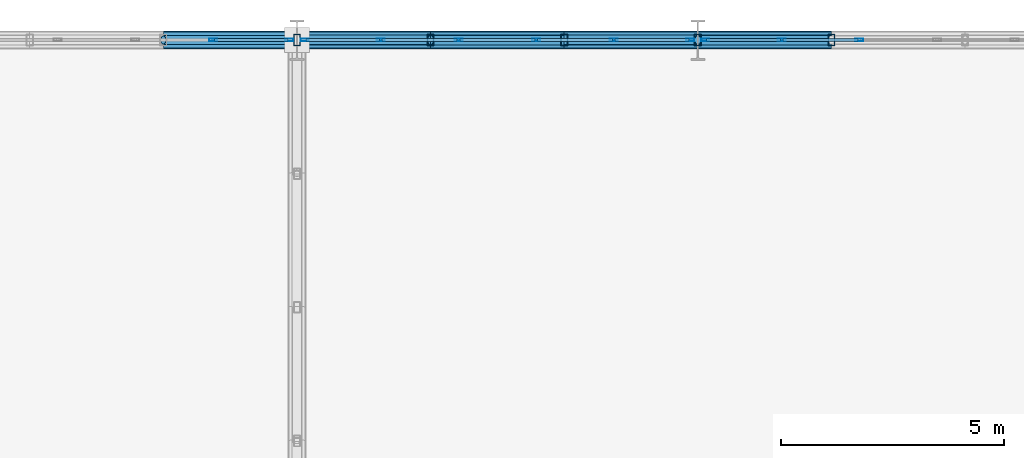
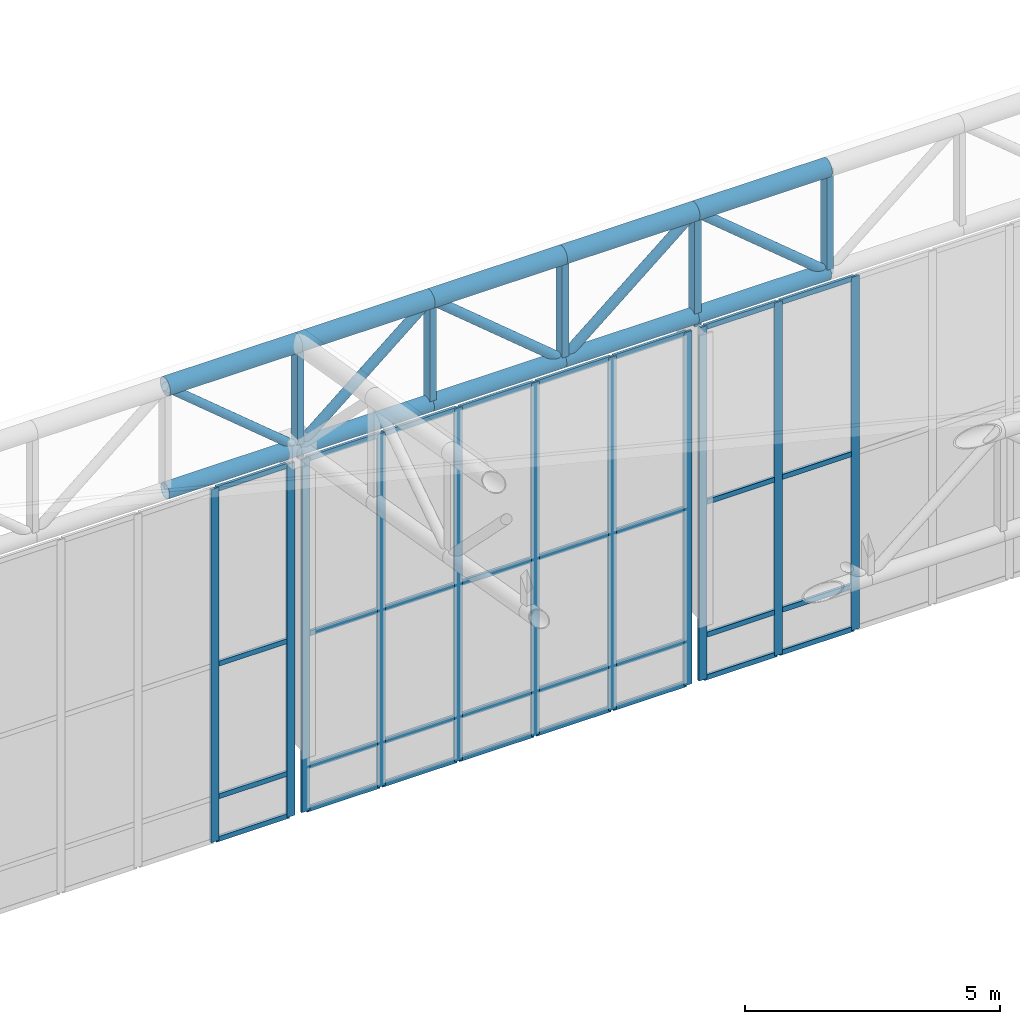
# One storey, part 105 of 239: 63 members, 3 elements without a shape of their own.
"""IFC4 building model written with IfcOpenShell, lengths in metres."""

import ifcopenshell
import ifcopenshell.guid

model = None  # the IFC model being written
_history = None  # IfcOwnerHistory: only IFC2X3 demands one
_inside = {}  # id of a spatial element -> (the spatial element, [elements in it])
_under = {}  # id of a project, library or spatial element -> (it, [spatial elements below it])
_declared = {}  # id of a project -> (the project, [libraries it declares])
_typed = {}  # id of a type object -> (the type object, [elements of that type])
_made_of = {}  # id of a material, layer set ... -> (it, [elements and type objects made of it])


def new_model(schema):
    """Start an empty IFC model of exactly this schema.

    Asked for "IFC4X3", IfcOpenShell would pick the latest addendum, in which some entities
    have other attributes; the version numbers below select the first issue.
    IFC2X3 requires an IfcOwnerHistory on every rooted entity: one is made here for all.
    """
    global model, _history
    if schema == "IFC4X3":
        model = ifcopenshell.file(schema_version=(4, 3, 0, 0))
    else:
        model = ifcopenshell.file(schema=schema)
    _inside.clear()
    _under.clear()
    _declared.clear()
    _typed.clear()
    _made_of.clear()
    _history = None
    if model.schema == "IFC2X3":
        org = make("IfcOrganization", Name="unknown")
        user = make(
            "IfcPersonAndOrganization",
            ThePerson=make("IfcPerson", FamilyName="unknown"),
            TheOrganization=org,
        )
        app = make(
            "IfcApplication",
            ApplicationDeveloper=org,
            Version="unknown",
            ApplicationFullName="unknown",
            ApplicationIdentifier="unknown",
        )
        _history = make(
            "IfcOwnerHistory",
            OwningUser=user,
            OwningApplication=app,
            ChangeAction="ADDED",
            CreationDate=0,
        )
    return model


def make(cls, **values):
    """One entity of the class cls with the attributes given. An attribute that is None is left unset."""
    return model.create_entity(
        cls, **{name: value for name, value in values.items() if value is not None}
    )


def rooted(cls, **values):
    """An entity with a GlobalId (a new one), such as an element, a storey or a relation."""
    return make(cls, GlobalId=ifcopenshell.guid.new(), OwnerHistory=_history, **values)


def si_unit(unit_type, name, prefix=None):
    """IfcSIUnit, for example si_unit("LENGTHUNIT", "METRE", prefix="MILLI")."""
    return make("IfcSIUnit", UnitType=unit_type, Prefix=prefix, Name=name)


def assignment(units):
    """IfcUnitAssignment: the units of a project."""
    return None if units is None else make("IfcUnitAssignment", Units=units)


def point(xyz):
    """IfcCartesianPoint."""
    return None if xyz is None else make("IfcCartesianPoint", Coordinates=xyz)


def direction(xyz):
    """IfcDirection."""
    return None if xyz is None else make("IfcDirection", DirectionRatios=xyz)


def frame(location, z_axis=None, x_axis=None):
    """IfcAxis2Placement3D, a coordinate frame: its origin and axes. An axis left out is left unset."""
    return make(
        "IfcAxis2Placement3D",
        Location=point(location),
        Axis=direction(z_axis),
        RefDirection=direction(x_axis),
    )


def frame_2d(location, x_axis=None):
    """IfcAxis2Placement2D, a coordinate frame in the plane: its origin and x axis."""
    return make(
        "IfcAxis2Placement2D", Location=point(location), RefDirection=direction(x_axis)
    )


def origin():
    """The frame at (0, 0, 0) with its axes left unset."""
    return frame((0.0, 0.0, 0.0))


def origin_2d():
    """The frame at (0, 0) in the plane with its x axis left unset."""
    return frame_2d((0.0, 0.0))


def place(relative_to, where):
    """IfcLocalPlacement: puts the frame where relative to a parent placement (None: the world)."""
    return make(
        "IfcLocalPlacement", PlacementRelTo=relative_to, RelativePlacement=where
    )


def context(
    kind, dimensions, precision=None, world=None, true_north=None, identifier=None
):
    """IfcGeometricRepresentationContext, for example the 3D "Model" context."""
    return make(
        "IfcGeometricRepresentationContext",
        ContextIdentifier=identifier,
        ContextType=kind,
        CoordinateSpaceDimension=dimensions,
        Precision=precision,
        WorldCoordinateSystem=world,
        TrueNorth=true_north,
    )


def subcontext(parent, identifier, kind, view, scale=None):
    """IfcGeometricRepresentationSubContext, for example "Body" below "Model"."""
    return make(
        "IfcGeometricRepresentationSubContext",
        ContextIdentifier=identifier,
        ContextType=kind,
        ParentContext=parent,
        TargetScale=scale,
        TargetView=view,
    )


def project(units=None, contexts=None):
    """IfcProject with its units and contexts."""
    return rooted(
        "IfcProject",
        Name="project",
        RepresentationContexts=contexts,
        UnitsInContext=assignment(units),
    )


def spatial(cls, under=None, at=None, **own):
    """A site, building, storey or space (cls), placed at a placement, below another one or the project."""
    s = rooted(cls, ObjectPlacement=at, **own)
    if under is not None:
        _under.setdefault(under.id(), (under, []))[1].append(s)
    return s


def profile(cls, at=None, kind="AREA", **sizes):
    """A parametric profile (cls). Its sizes go by their IFC names, for example OverallWidth=200.0."""
    return make(cls, ProfileType=kind, Position=at, **sizes)


def hollow_rectangle(**sizes):
    """IfcRectangleHollowProfileDef."""
    return profile("IfcRectangleHollowProfileDef", **sizes)


def hollow_circle(**sizes):
    """IfcCircleHollowProfileDef."""
    return profile("IfcCircleHollowProfileDef", **sizes)


def extrude(swept, where, along, depth):
    """IfcExtrudedAreaSolid: the profile swept, set in the frame where, extruded along a direction by depth."""
    return make(
        "IfcExtrudedAreaSolid",
        SweptArea=swept,
        Position=where,
        ExtrudedDirection=direction(along),
        Depth=depth,
    )


def shape(context_of_items, identifier, shape_type, items):
    """IfcShapeRepresentation: the items that make up one representation, for example the "Body"."""
    return make(
        "IfcShapeRepresentation",
        ContextOfItems=context_of_items,
        RepresentationIdentifier=identifier,
        RepresentationType=shape_type,
        Items=items,
    )


def material(Name=None, Category=None):
    """IfcMaterial."""
    return make("IfcMaterial", Name=Name, Category=Category)


def material_profile(
    of_material, cross_section, Name=None, Category=None, Priority=None
):
    """IfcMaterialProfile: a cross section and its material."""
    return make(
        "IfcMaterialProfile",
        Name=Name,
        Material=of_material,
        Profile=cross_section,
        Priority=Priority,
        Category=Category,
    )


def profile_set(profiles, Name=None, composite=None):
    """IfcMaterialProfileSet."""
    return make(
        "IfcMaterialProfileSet",
        Name=Name,
        MaterialProfiles=profiles,
        CompositeProfile=composite,
    )


def made_of(thing, what):
    """Note that an element or type object is made of a material, layer set ...; save() writes the relation."""
    if what is not None:
        _made_of.setdefault(what.id(), (what, []))[1].append(thing)
    return thing


def type_object(cls, material=None, **own):
    """A type object (cls), such as IfcWallType, which elements share."""
    return made_of(rooted(cls, **own), material)


def element(
    cls,
    number,
    at=None,
    inside=None,
    cuts=None,
    type_object=None,
    material=None,
    context=None,
    identifier="Body",
    shape_type=None,
    held_by="IfcProductDefinitionShape",
    body=None,
    shapes=None,
    **own,
):
    """One element of the class cls, such as IfcWall. Its Tag is "e" and its number.

    at: its placement. inside: the storey or other place that contains it. cuts: it is an
    opening in that element (IfcRelVoidsElement). A single representation is given by context,
    identifier, shape_type and body (its items); several are given by shapes. held_by: the class
    of the entity that holds the representations. save() writes the other relations.
    """
    e = rooted(cls, Tag="e%d" % number, ObjectPlacement=at, **own)
    if body is not None:
        shapes = [shape(context, identifier, shape_type, body)]
    if shapes is not None:
        e.Representation = make(held_by, Representations=shapes)
    if inside is not None:
        _inside.setdefault(inside.id(), (inside, []))[1].append(e)
    if cuts is not None:
        rooted(
            "IfcRelVoidsElement", RelatingBuildingElement=cuts, RelatedOpeningElement=e
        )
    if type_object is not None:
        _typed.setdefault(type_object.id(), (type_object, []))[1].append(e)
    return made_of(e, material)


def aggregate(whole, parts):
    """IfcRelAggregates: a whole, such as a stair, and the parts it consists of."""
    return rooted("IfcRelAggregates", RelatingObject=whole, RelatedObjects=parts)


def save(model, path):
    """Write the relations noted so far, then the file.

    IfcRelAggregates (storeys below a building ...), IfcRelContainedInSpatialStructure (elements
    in a storey), IfcRelDefinesByType, IfcRelAssociatesMaterial and IfcRelDeclares: one each for
    every whole, place, type object, material and project.
    """
    for whole, parts in _under.values():
        aggregate(whole, parts)
    for where, things in _inside.values():
        rooted(
            "IfcRelContainedInSpatialStructure",
            RelatedElements=things,
            RelatingStructure=where,
        )
    for kind, things in _typed.values():
        rooted("IfcRelDefinesByType", RelatedObjects=things, RelatingType=kind)
    for what, things in _made_of.values():
        rooted("IfcRelAssociatesMaterial", RelatedObjects=things, RelatingMaterial=what)
    for by, libraries in _declared.values():
        rooted("IfcRelDeclares", RelatingContext=by, RelatedDefinitions=libraries)
    model.write(path)


model = new_model("IFC4")

# Units and contexts
model_context = context("Model", 3, precision=1e-05, world=origin(), true_north=direction((0.0, 1.0)))
body_context = subcontext(model_context, "Body", "Model", "MODEL_VIEW")
ifc_project = project(units=[si_unit("LENGTHUNIT", "METRE"), si_unit("AREAUNIT", "SQUARE_METRE"), si_unit("VOLUMEUNIT", "CUBIC_METRE"), si_unit("PLANEANGLEUNIT", "RADIAN"), si_unit("MASSUNIT", "GRAM", prefix="KILO")], contexts=[model_context])

# Site, building, storey
site_placement = place(None, origin())
site = spatial("IfcSite", under=ifc_project, at=site_placement, CompositionType="ELEMENT")
building_placement = place(site_placement, origin())
building = spatial("IfcBuilding", under=site, at=building_placement, Name="Kaldris Quays Convention Centre", CompositionType="ELEMENT")
storey_placement = place(building_placement, frame((0.0, 0.0, 11.39990234375)))
storey = spatial("IfcBuildingStorey", under=building, at=storey_placement, Name="L02", CompositionType="ELEMENT", Elevation=11.39990234375)

# Curtain wall, members
ifc_material_1 = material(Name="Anodized aluminium AW-6060 and triple glazing", Category="aluminium")
curtain_wall_type = type_object("IfcCurtainWallType", Name="UNITISED CURTAIN WALL CW03", PredefinedType="NOTDEFINED", material=ifc_material_1)
curtain_wall_1_placement = place(storey_placement, origin())
curtain_wall_1 = element("IfcCurtainWall", 1, at=curtain_wall_1_placement, inside=storey, type_object=curtain_wall_type, Name="L02 Unitised Curtain Wall CW03 230", PredefinedType="NOTDEFINED")
ifc_material_2 = material(Name="Anodized aluminium AW-6060", Category="aluminium")
ifc_material_profile_1 = material_profile(ifc_material_2, hollow_rectangle(XDim=0.06005859375, YDim=0.179931640625, WallThickness=0.0048828125, at=origin_2d()), Name="RHS 180x60x5")
ifc_profile_set_1 = profile_set([ifc_material_profile_1], Name="Anodized aluminium AW-6060")
member_type_1 = type_object("IfcMemberType", Name="CURTAIN MULLION CWM2", PredefinedType="MULLION", material=ifc_profile_set_1)
member_1_placement = place(storey_placement, frame((36.115966796875, 140.0, -1.60498046875), z_axis=(0.0, 0.0, 1.0), x_axis=(0.0, 1.0, 0.0)))
member_1 = element("IfcMember", 2, at=member_1_placement, type_object=member_type_1, Name="CW03 mullion 5", PredefinedType="MULLION", context=body_context, shape_type="SweptSolid", body=[
    extrude(hollow_rectangle(XDim=0.06005859375, YDim=0.179931640625, WallThickness=0.0048828125, at=origin_2d()), origin(), (0.0, 0.0, 1.0), 8.455078125),
])
member_2_placement = place(storey_placement, frame((37.830078125, 140.0, -1.60498046875), z_axis=(0.0, 0.0, 1.0), x_axis=(0.0, 1.0, 0.0)))
member_2 = element("IfcMember", 3, at=member_2_placement, type_object=member_type_1, Name="CW03 mullion 6", PredefinedType="MULLION", context=body_context, shape_type="SweptSolid", body=[
    extrude(hollow_rectangle(XDim=0.06005859375, YDim=0.179931640625, WallThickness=0.0048828125, at=origin_2d()), origin(), (0.0, 0.0, 1.0), 8.455078125),
])

curtain_wall_2_placement = place(storey_placement, origin())
curtain_wall_2 = element("IfcCurtainWall", 4, at=curtain_wall_2_placement, inside=storey, type_object=curtain_wall_type, Name="L02 Unitised Curtain Wall CW03 232", PredefinedType="NOTDEFINED")
member_3_placement = place(storey_placement, frame((38.169921875, 140.0, -1.60498046875), z_axis=(0.0, 0.0, 1.0), x_axis=(0.0, 1.0, 0.0)))
member_3 = element("IfcMember", 5, at=member_3_placement, type_object=member_type_1, Name="CW03 mullion 1", PredefinedType="MULLION", context=body_context, shape_type="SweptSolid", body=[
    extrude(hollow_rectangle(XDim=0.06005859375, YDim=0.179931640625, WallThickness=0.0048828125, at=origin_2d()), origin(), (0.0, 0.0, 1.0), 8.455078125),
])
member_4_placement = place(storey_placement, frame((39.884033203125, 140.0, -1.60498046875), z_axis=(0.0, 0.0, 1.0), x_axis=(0.0, 1.0, 0.0)))
member_4 = element("IfcMember", 6, at=member_4_placement, type_object=member_type_1, Name="CW03 mullion 2", PredefinedType="MULLION", context=body_context, shape_type="SweptSolid", body=[
    extrude(hollow_rectangle(XDim=0.06005859375, YDim=0.179931640625, WallThickness=0.0048828125, at=origin_2d()), origin(), (0.0, 0.0, 1.0), 8.455078125),
])
member_5_placement = place(storey_placement, frame((41.6279296875, 140.0, -1.60498046875), z_axis=(0.0, 0.0, 1.0), x_axis=(0.0, 1.0, 0.0)))
member_5 = element("IfcMember", 7, at=member_5_placement, type_object=member_type_1, Name="CW03 mullion 3", PredefinedType="MULLION", context=body_context, shape_type="SweptSolid", body=[
    extrude(hollow_rectangle(XDim=0.06005859375, YDim=0.179931640625, WallThickness=0.0048828125, at=origin_2d()), origin(), (0.0, 0.0, 1.0), 8.455078125),
])
member_6_placement = place(storey_placement, frame((43.3720703125, 140.0, -1.60498046875), z_axis=(0.0, 0.0, 1.0), x_axis=(0.0, 1.0, 0.0)))
member_6 = element("IfcMember", 8, at=member_6_placement, type_object=member_type_1, Name="CW03 mullion 4", PredefinedType="MULLION", context=body_context, shape_type="SweptSolid", body=[
    extrude(hollow_rectangle(XDim=0.06005859375, YDim=0.179931640625, WallThickness=0.0048828125, at=origin_2d()), origin(), (0.0, 0.0, 1.0), 8.455078125),
])
member_7_placement = place(storey_placement, frame((45.115966796875, 140.0, -1.60498046875), z_axis=(0.0, 0.0, 1.0), x_axis=(0.0, 1.0, 0.0)))
member_7 = element("IfcMember", 9, at=member_7_placement, type_object=member_type_1, Name="CW03 mullion 5", PredefinedType="MULLION", context=body_context, shape_type="SweptSolid", body=[
    extrude(hollow_rectangle(XDim=0.06005859375, YDim=0.179931640625, WallThickness=0.0048828125, at=origin_2d()), origin(), (0.0, 0.0, 1.0), 8.455078125),
])
member_8_placement = place(storey_placement, frame((46.830078125, 140.0, -1.60498046875), z_axis=(0.0, 0.0, 1.0), x_axis=(0.0, 1.0, 0.0)))
member_8 = element("IfcMember", 10, at=member_8_placement, type_object=member_type_1, Name="CW03 mullion 6", PredefinedType="MULLION", context=body_context, shape_type="SweptSolid", body=[
    extrude(hollow_rectangle(XDim=0.06005859375, YDim=0.179931640625, WallThickness=0.0048828125, at=origin_2d()), origin(), (0.0, 0.0, 1.0), 8.455078125),
])

curtain_wall_3_placement = place(storey_placement, origin())
curtain_wall_3 = element("IfcCurtainWall", 11, at=curtain_wall_3_placement, inside=storey, type_object=curtain_wall_type, Name="L02 Unitised Curtain Wall CW03 234", PredefinedType="NOTDEFINED")
member_9_placement = place(storey_placement, frame((47.169921875, 140.0, -1.60498046875), z_axis=(0.0, 0.0, 1.0), x_axis=(0.0, 1.0, 0.0)))
member_9 = element("IfcMember", 12, at=member_9_placement, type_object=member_type_1, Name="CW03 mullion 1", PredefinedType="MULLION", context=body_context, shape_type="SweptSolid", body=[
    extrude(hollow_rectangle(XDim=0.06005859375, YDim=0.179931640625, WallThickness=0.0048828125, at=origin_2d()), origin(), (0.0, 0.0, 1.0), 8.455078125),
])
member_10_placement = place(storey_placement, frame((48.884033203125, 140.0, -1.60498046875), z_axis=(0.0, 0.0, 1.0), x_axis=(0.0, 1.0, 0.0)))
member_10 = element("IfcMember", 13, at=member_10_placement, type_object=member_type_1, Name="CW03 mullion 2", PredefinedType="MULLION", context=body_context, shape_type="SweptSolid", body=[
    extrude(hollow_rectangle(XDim=0.06005859375, YDim=0.179931640625, WallThickness=0.0048828125, at=origin_2d()), origin(), (0.0, 0.0, 1.0), 8.455078125),
])
member_11_placement = place(storey_placement, frame((50.6279296875, 140.0, -1.60498046875), z_axis=(0.0, 0.0, 1.0), x_axis=(0.0, 1.0, 0.0)))
member_11 = element("IfcMember", 14, at=member_11_placement, type_object=member_type_1, Name="CW03 mullion 3", PredefinedType="MULLION", context=body_context, shape_type="SweptSolid", body=[
    extrude(hollow_rectangle(XDim=0.06005859375, YDim=0.179931640625, WallThickness=0.0048828125, at=origin_2d()), origin(), (0.0, 0.0, 1.0), 8.455078125),
])

# Member
ifc_material_profile_2 = material_profile(ifc_material_2, hollow_rectangle(XDim=0.06005859375, YDim=0.1201171875, WallThickness=0.00390625, at=origin_2d()), Name="RHS 120x60x4")
ifc_profile_set_2 = profile_set([ifc_material_profile_2], Name="Anodized aluminium AW-6060")
member_type_2 = type_object("IfcMemberType", Name="CURTAIN TRANSOM CWT1", PredefinedType="USERDEFINED", material=ifc_profile_set_2)
member_12_placement = place(storey_placement, frame((36.14599609375, 140.0, -1.574951171875), z_axis=(1.0, 0.0, 0.0), x_axis=(0.0, 1.0, 0.0)))
member_12 = element("IfcMember", 15, at=member_12_placement, type_object=member_type_2, Name="CW03 transom 5.1", ObjectType="TRANSOM", PredefinedType="USERDEFINED", context=body_context, shape_type="SweptSolid", body=[
    extrude(hollow_rectangle(XDim=0.06005859375, YDim=0.1201171875, WallThickness=0.00390625, at=origin_2d()), origin(), (0.0, 0.0, 1.0), 1.654052734375),
])

member_13_placement = place(storey_placement, frame((36.14599609375, 140.0, -0.554931640625), z_axis=(1.0, 0.0, 0.0), x_axis=(0.0, 1.0, 0.0)))
member_13 = element("IfcMember", 16, at=member_13_placement, type_object=member_type_2, Name="CW03 transom 5.2", ObjectType="TRANSOM", PredefinedType="USERDEFINED", context=body_context, shape_type="SweptSolid", body=[
    extrude(hollow_rectangle(XDim=0.06005859375, YDim=0.1201171875, WallThickness=0.00390625, at=origin_2d()), origin(), (0.0, 0.0, 1.0), 1.654052734375),
])

member_14_placement = place(storey_placement, frame((36.14599609375, 140.0, 2.623046875), z_axis=(1.0, 0.0, 0.0), x_axis=(0.0, 1.0, 0.0)))
member_14 = element("IfcMember", 17, at=member_14_placement, type_object=member_type_2, Name="CW03 transom 5.3", ObjectType="TRANSOM", PredefinedType="USERDEFINED", context=body_context, shape_type="SweptSolid", body=[
    extrude(hollow_rectangle(XDim=0.06005859375, YDim=0.1201171875, WallThickness=0.00390625, at=origin_2d()), origin(), (0.0, 0.0, 1.0), 1.654052734375),
])

member_15_placement = place(storey_placement, frame((36.14599609375, 140.0, 6.820068359375), z_axis=(1.0, 0.0, 0.0), x_axis=(0.0, 1.0, 0.0)))
member_15 = element("IfcMember", 18, at=member_15_placement, type_object=member_type_2, Name="CW03 transom 5.4", ObjectType="TRANSOM", PredefinedType="USERDEFINED", context=body_context, shape_type="SweptSolid", body=[
    extrude(hollow_rectangle(XDim=0.06005859375, YDim=0.1201171875, WallThickness=0.00390625, at=origin_2d()), origin(), (0.0, 0.0, 1.0), 1.654052734375),
])

aggregate(curtain_wall_1, [member_1, member_2, member_12, member_13, member_14, member_15])

member_16_placement = place(storey_placement, frame((38.199951171875, 140.0, -1.574951171875), z_axis=(1.0, 0.0, 0.0), x_axis=(0.0, 1.0, 0.0)))
member_16 = element("IfcMember", 19, at=member_16_placement, type_object=member_type_2, Name="CW03 transom 1.1", ObjectType="TRANSOM", PredefinedType="USERDEFINED", context=body_context, shape_type="SweptSolid", body=[
    extrude(hollow_rectangle(XDim=0.06005859375, YDim=0.1201171875, WallThickness=0.00390625, at=origin_2d()), origin(), (0.0, 0.0, 1.0), 1.654052734375),
])

member_17_placement = place(storey_placement, frame((38.199951171875, 140.0, -0.554931640625), z_axis=(1.0, 0.0, 0.0), x_axis=(0.0, 1.0, 0.0)))
member_17 = element("IfcMember", 20, at=member_17_placement, type_object=member_type_2, Name="CW03 transom 1.2", ObjectType="TRANSOM", PredefinedType="USERDEFINED", context=body_context, shape_type="SweptSolid", body=[
    extrude(hollow_rectangle(XDim=0.06005859375, YDim=0.1201171875, WallThickness=0.00390625, at=origin_2d()), origin(), (0.0, 0.0, 1.0), 1.654052734375),
])

member_18_placement = place(storey_placement, frame((38.199951171875, 140.0, 2.623046875), z_axis=(1.0, 0.0, 0.0), x_axis=(0.0, 1.0, 0.0)))
member_18 = element("IfcMember", 21, at=member_18_placement, type_object=member_type_2, Name="CW03 transom 1.3", ObjectType="TRANSOM", PredefinedType="USERDEFINED", context=body_context, shape_type="SweptSolid", body=[
    extrude(hollow_rectangle(XDim=0.06005859375, YDim=0.1201171875, WallThickness=0.00390625, at=origin_2d()), origin(), (0.0, 0.0, 1.0), 1.654052734375),
])

member_19_placement = place(storey_placement, frame((38.199951171875, 140.0, 6.820068359375), z_axis=(1.0, 0.0, 0.0), x_axis=(0.0, 1.0, 0.0)))
member_19 = element("IfcMember", 22, at=member_19_placement, type_object=member_type_2, Name="CW03 transom 1.4", ObjectType="TRANSOM", PredefinedType="USERDEFINED", context=body_context, shape_type="SweptSolid", body=[
    extrude(hollow_rectangle(XDim=0.06005859375, YDim=0.1201171875, WallThickness=0.00390625, at=origin_2d()), origin(), (0.0, 0.0, 1.0), 1.654052734375),
])

member_20_placement = place(storey_placement, frame((39.9140625, 140.0, -1.574951171875), z_axis=(1.0, 0.0, 0.0), x_axis=(0.0, 1.0, 0.0)))
member_20 = element("IfcMember", 23, at=member_20_placement, type_object=member_type_2, Name="CW03 transom 2.1", ObjectType="TRANSOM", PredefinedType="USERDEFINED", context=body_context, shape_type="SweptSolid", body=[
    extrude(hollow_rectangle(XDim=0.06005859375, YDim=0.1201171875, WallThickness=0.00390625, at=origin_2d()), origin(), (0.0, 0.0, 1.0), 1.683837890625),
])

member_21_placement = place(storey_placement, frame((39.9140625, 140.0, -0.554931640625), z_axis=(1.0, 0.0, 0.0), x_axis=(0.0, 1.0, 0.0)))
member_21 = element("IfcMember", 24, at=member_21_placement, type_object=member_type_2, Name="CW03 transom 2.2", ObjectType="TRANSOM", PredefinedType="USERDEFINED", context=body_context, shape_type="SweptSolid", body=[
    extrude(hollow_rectangle(XDim=0.06005859375, YDim=0.1201171875, WallThickness=0.00390625, at=origin_2d()), origin(), (0.0, 0.0, 1.0), 1.683837890625),
])

member_22_placement = place(storey_placement, frame((39.9140625, 140.0, 2.623046875), z_axis=(1.0, 0.0, 0.0), x_axis=(0.0, 1.0, 0.0)))
member_22 = element("IfcMember", 25, at=member_22_placement, type_object=member_type_2, Name="CW03 transom 2.3", ObjectType="TRANSOM", PredefinedType="USERDEFINED", context=body_context, shape_type="SweptSolid", body=[
    extrude(hollow_rectangle(XDim=0.06005859375, YDim=0.1201171875, WallThickness=0.00390625, at=origin_2d()), origin(), (0.0, 0.0, 1.0), 1.683837890625),
])

member_23_placement = place(storey_placement, frame((39.9140625, 140.0, 6.820068359375), z_axis=(1.0, 0.0, 0.0), x_axis=(0.0, 1.0, 0.0)))
member_23 = element("IfcMember", 26, at=member_23_placement, type_object=member_type_2, Name="CW03 transom 2.4", ObjectType="TRANSOM", PredefinedType="USERDEFINED", context=body_context, shape_type="SweptSolid", body=[
    extrude(hollow_rectangle(XDim=0.06005859375, YDim=0.1201171875, WallThickness=0.00390625, at=origin_2d()), origin(), (0.0, 0.0, 1.0), 1.683837890625),
])

member_24_placement = place(storey_placement, frame((41.657958984375, 140.0, -1.574951171875), z_axis=(1.0, 0.0, 0.0), x_axis=(0.0, 1.0, 0.0)))
member_24 = element("IfcMember", 27, at=member_24_placement, type_object=member_type_2, Name="CW03 transom 3.1", ObjectType="TRANSOM", PredefinedType="USERDEFINED", context=body_context, shape_type="SweptSolid", body=[
    extrude(hollow_rectangle(XDim=0.06005859375, YDim=0.1201171875, WallThickness=0.00390625, at=origin_2d()), origin(), (0.0, 0.0, 1.0), 1.68408203125),
])

member_25_placement = place(storey_placement, frame((41.657958984375, 140.0, -0.554931640625), z_axis=(1.0, 0.0, 0.0), x_axis=(0.0, 1.0, 0.0)))
member_25 = element("IfcMember", 28, at=member_25_placement, type_object=member_type_2, Name="CW03 transom 3.2", ObjectType="TRANSOM", PredefinedType="USERDEFINED", context=body_context, shape_type="SweptSolid", body=[
    extrude(hollow_rectangle(XDim=0.06005859375, YDim=0.1201171875, WallThickness=0.00390625, at=origin_2d()), origin(), (0.0, 0.0, 1.0), 1.68408203125),
])

member_26_placement = place(storey_placement, frame((41.657958984375, 140.0, 2.623046875), z_axis=(1.0, 0.0, 0.0), x_axis=(0.0, 1.0, 0.0)))
member_26 = element("IfcMember", 29, at=member_26_placement, type_object=member_type_2, Name="CW03 transom 3.3", ObjectType="TRANSOM", PredefinedType="USERDEFINED", context=body_context, shape_type="SweptSolid", body=[
    extrude(hollow_rectangle(XDim=0.06005859375, YDim=0.1201171875, WallThickness=0.00390625, at=origin_2d()), origin(), (0.0, 0.0, 1.0), 1.68408203125),
])

member_27_placement = place(storey_placement, frame((41.657958984375, 140.0, 6.820068359375), z_axis=(1.0, 0.0, 0.0), x_axis=(0.0, 1.0, 0.0)))
member_27 = element("IfcMember", 30, at=member_27_placement, type_object=member_type_2, Name="CW03 transom 3.4", ObjectType="TRANSOM", PredefinedType="USERDEFINED", context=body_context, shape_type="SweptSolid", body=[
    extrude(hollow_rectangle(XDim=0.06005859375, YDim=0.1201171875, WallThickness=0.00390625, at=origin_2d()), origin(), (0.0, 0.0, 1.0), 1.68408203125),
])

member_28_placement = place(storey_placement, frame((43.402099609375, 140.0, -1.574951171875), z_axis=(1.0, 0.0, 0.0), x_axis=(0.0, 1.0, 0.0)))
member_28 = element("IfcMember", 31, at=member_28_placement, type_object=member_type_2, Name="CW03 transom 4.1", ObjectType="TRANSOM", PredefinedType="USERDEFINED", context=body_context, shape_type="SweptSolid", body=[
    extrude(hollow_rectangle(XDim=0.06005859375, YDim=0.1201171875, WallThickness=0.00390625, at=origin_2d()), origin(), (0.0, 0.0, 1.0), 1.683837890625),
])

member_29_placement = place(storey_placement, frame((43.402099609375, 140.0, -0.554931640625), z_axis=(1.0, 0.0, 0.0), x_axis=(0.0, 1.0, 0.0)))
member_29 = element("IfcMember", 32, at=member_29_placement, type_object=member_type_2, Name="CW03 transom 4.2", ObjectType="TRANSOM", PredefinedType="USERDEFINED", context=body_context, shape_type="SweptSolid", body=[
    extrude(hollow_rectangle(XDim=0.06005859375, YDim=0.1201171875, WallThickness=0.00390625, at=origin_2d()), origin(), (0.0, 0.0, 1.0), 1.683837890625),
])

member_30_placement = place(storey_placement, frame((43.402099609375, 140.0, 2.623046875), z_axis=(1.0, 0.0, 0.0), x_axis=(0.0, 1.0, 0.0)))
member_30 = element("IfcMember", 33, at=member_30_placement, type_object=member_type_2, Name="CW03 transom 4.3", ObjectType="TRANSOM", PredefinedType="USERDEFINED", context=body_context, shape_type="SweptSolid", body=[
    extrude(hollow_rectangle(XDim=0.06005859375, YDim=0.1201171875, WallThickness=0.00390625, at=origin_2d()), origin(), (0.0, 0.0, 1.0), 1.683837890625),
])

member_31_placement = place(storey_placement, frame((43.402099609375, 140.0, 6.820068359375), z_axis=(1.0, 0.0, 0.0), x_axis=(0.0, 1.0, 0.0)))
member_31 = element("IfcMember", 34, at=member_31_placement, type_object=member_type_2, Name="CW03 transom 4.4", ObjectType="TRANSOM", PredefinedType="USERDEFINED", context=body_context, shape_type="SweptSolid", body=[
    extrude(hollow_rectangle(XDim=0.06005859375, YDim=0.1201171875, WallThickness=0.00390625, at=origin_2d()), origin(), (0.0, 0.0, 1.0), 1.683837890625),
])

member_32_placement = place(storey_placement, frame((45.14599609375, 140.0, -1.574951171875), z_axis=(1.0, 0.0, 0.0), x_axis=(0.0, 1.0, 0.0)))
member_32 = element("IfcMember", 35, at=member_32_placement, type_object=member_type_2, Name="CW03 transom 5.1", ObjectType="TRANSOM", PredefinedType="USERDEFINED", context=body_context, shape_type="SweptSolid", body=[
    extrude(hollow_rectangle(XDim=0.06005859375, YDim=0.1201171875, WallThickness=0.00390625, at=origin_2d()), origin(), (0.0, 0.0, 1.0), 1.654052734375),
])

member_33_placement = place(storey_placement, frame((45.14599609375, 140.0, -0.554931640625), z_axis=(1.0, 0.0, 0.0), x_axis=(0.0, 1.0, 0.0)))
member_33 = element("IfcMember", 36, at=member_33_placement, type_object=member_type_2, Name="CW03 transom 5.2", ObjectType="TRANSOM", PredefinedType="USERDEFINED", context=body_context, shape_type="SweptSolid", body=[
    extrude(hollow_rectangle(XDim=0.06005859375, YDim=0.1201171875, WallThickness=0.00390625, at=origin_2d()), origin(), (0.0, 0.0, 1.0), 1.654052734375),
])

member_34_placement = place(storey_placement, frame((45.14599609375, 140.0, 2.623046875), z_axis=(1.0, 0.0, 0.0), x_axis=(0.0, 1.0, 0.0)))
member_34 = element("IfcMember", 37, at=member_34_placement, type_object=member_type_2, Name="CW03 transom 5.3", ObjectType="TRANSOM", PredefinedType="USERDEFINED", context=body_context, shape_type="SweptSolid", body=[
    extrude(hollow_rectangle(XDim=0.06005859375, YDim=0.1201171875, WallThickness=0.00390625, at=origin_2d()), origin(), (0.0, 0.0, 1.0), 1.654052734375),
])

member_35_placement = place(storey_placement, frame((45.14599609375, 140.0, 6.820068359375), z_axis=(1.0, 0.0, 0.0), x_axis=(0.0, 1.0, 0.0)))
member_35 = element("IfcMember", 38, at=member_35_placement, type_object=member_type_2, Name="CW03 transom 5.4", ObjectType="TRANSOM", PredefinedType="USERDEFINED", context=body_context, shape_type="SweptSolid", body=[
    extrude(hollow_rectangle(XDim=0.06005859375, YDim=0.1201171875, WallThickness=0.00390625, at=origin_2d()), origin(), (0.0, 0.0, 1.0), 1.654052734375),
])

aggregate(curtain_wall_2, [member_3, member_4, member_5, member_6, member_7, member_8, member_16, member_17, member_18, member_19, member_20, member_21, member_22, member_23, member_24, member_25, member_26, member_27, member_28, member_29, member_30, member_31, member_32, member_33, member_34, member_35])

member_36_placement = place(storey_placement, frame((47.199951171875, 140.0, -1.574951171875), z_axis=(1.0, 0.0, 0.0), x_axis=(0.0, 1.0, 0.0)))
member_36 = element("IfcMember", 39, at=member_36_placement, type_object=member_type_2, Name="CW03 transom 1.1", ObjectType="TRANSOM", PredefinedType="USERDEFINED", context=body_context, shape_type="SweptSolid", body=[
    extrude(hollow_rectangle(XDim=0.06005859375, YDim=0.1201171875, WallThickness=0.00390625, at=origin_2d()), origin(), (0.0, 0.0, 1.0), 1.654052734375),
])

member_37_placement = place(storey_placement, frame((47.199951171875, 140.0, -0.554931640625), z_axis=(1.0, 0.0, 0.0), x_axis=(0.0, 1.0, 0.0)))
member_37 = element("IfcMember", 40, at=member_37_placement, type_object=member_type_2, Name="CW03 transom 1.2", ObjectType="TRANSOM", PredefinedType="USERDEFINED", context=body_context, shape_type="SweptSolid", body=[
    extrude(hollow_rectangle(XDim=0.06005859375, YDim=0.1201171875, WallThickness=0.00390625, at=origin_2d()), origin(), (0.0, 0.0, 1.0), 1.654052734375),
])

member_38_placement = place(storey_placement, frame((47.199951171875, 140.0, 2.623046875), z_axis=(1.0, 0.0, 0.0), x_axis=(0.0, 1.0, 0.0)))
member_38 = element("IfcMember", 41, at=member_38_placement, type_object=member_type_2, Name="CW03 transom 1.3", ObjectType="TRANSOM", PredefinedType="USERDEFINED", context=body_context, shape_type="SweptSolid", body=[
    extrude(hollow_rectangle(XDim=0.06005859375, YDim=0.1201171875, WallThickness=0.00390625, at=origin_2d()), origin(), (0.0, 0.0, 1.0), 1.654052734375),
])

member_39_placement = place(storey_placement, frame((47.199951171875, 140.0, 6.820068359375), z_axis=(1.0, 0.0, 0.0), x_axis=(0.0, 1.0, 0.0)))
member_39 = element("IfcMember", 42, at=member_39_placement, type_object=member_type_2, Name="CW03 transom 1.4", ObjectType="TRANSOM", PredefinedType="USERDEFINED", context=body_context, shape_type="SweptSolid", body=[
    extrude(hollow_rectangle(XDim=0.06005859375, YDim=0.1201171875, WallThickness=0.00390625, at=origin_2d()), origin(), (0.0, 0.0, 1.0), 1.654052734375),
])

member_40_placement = place(storey_placement, frame((48.9140625, 140.0, -1.574951171875), z_axis=(1.0, 0.0, 0.0), x_axis=(0.0, 1.0, 0.0)))
member_40 = element("IfcMember", 43, at=member_40_placement, type_object=member_type_2, Name="CW03 transom 2.1", ObjectType="TRANSOM", PredefinedType="USERDEFINED", context=body_context, shape_type="SweptSolid", body=[
    extrude(hollow_rectangle(XDim=0.06005859375, YDim=0.1201171875, WallThickness=0.00390625, at=origin_2d()), origin(), (0.0, 0.0, 1.0), 1.683837890625),
])

member_41_placement = place(storey_placement, frame((48.9140625, 140.0, -0.554931640625), z_axis=(1.0, 0.0, 0.0), x_axis=(0.0, 1.0, 0.0)))
member_41 = element("IfcMember", 44, at=member_41_placement, type_object=member_type_2, Name="CW03 transom 2.2", ObjectType="TRANSOM", PredefinedType="USERDEFINED", context=body_context, shape_type="SweptSolid", body=[
    extrude(hollow_rectangle(XDim=0.06005859375, YDim=0.1201171875, WallThickness=0.00390625, at=origin_2d()), origin(), (0.0, 0.0, 1.0), 1.683837890625),
])

member_42_placement = place(storey_placement, frame((48.9140625, 140.0, 2.623046875), z_axis=(1.0, 0.0, 0.0), x_axis=(0.0, 1.0, 0.0)))
member_42 = element("IfcMember", 45, at=member_42_placement, type_object=member_type_2, Name="CW03 transom 2.3", ObjectType="TRANSOM", PredefinedType="USERDEFINED", context=body_context, shape_type="SweptSolid", body=[
    extrude(hollow_rectangle(XDim=0.06005859375, YDim=0.1201171875, WallThickness=0.00390625, at=origin_2d()), origin(), (0.0, 0.0, 1.0), 1.683837890625),
])

member_43_placement = place(storey_placement, frame((48.9140625, 140.0, 6.820068359375), z_axis=(1.0, 0.0, 0.0), x_axis=(0.0, 1.0, 0.0)))
member_43 = element("IfcMember", 46, at=member_43_placement, type_object=member_type_2, Name="CW03 transom 2.4", ObjectType="TRANSOM", PredefinedType="USERDEFINED", context=body_context, shape_type="SweptSolid", body=[
    extrude(hollow_rectangle(XDim=0.06005859375, YDim=0.1201171875, WallThickness=0.00390625, at=origin_2d()), origin(), (0.0, 0.0, 1.0), 1.683837890625),
])

aggregate(curtain_wall_3, [member_9, member_10, member_11, member_36, member_37, member_38, member_39, member_40, member_41, member_42, member_43])

# Members
ifc_material_3 = material(Name="Steel S355J2H", Category="steel")
ifc_material_profile_3 = material_profile(ifc_material_3, hollow_circle(Radius=0.203125, WallThickness=0.01611328125, at=origin_2d()), Name="CHS 406.4x16")
ifc_profile_set_3 = profile_set([ifc_material_profile_3], Name="Steel S355J2H")
member_type_3 = type_object("IfcMemberType", Name="STRUCTURAL MEMBER SC01", PredefinedType="CHORD", material=ifc_profile_set_3)
for number, where, z_axis, x_axis, name in (
    (47, (35.0, 140.0, 9.671875), (1.0, 0.0, 0.0), (0.0, 1.0, 0.0), "SF-V1 Top Chord X 300"),
    (48, (38.0, 140.0, 9.671875), (1.0, 0.0, 0.0), (0.0, 1.0, 0.0), "SF-V1 Top Chord X 301"),
    (49, (41.0, 140.0, 9.671875), (1.0, 0.0, 0.0), (0.0, 1.0, 0.0), "SF-V1 Top Chord X 302"),
    (50, (44.0, 140.0, 9.671875), (1.0, 0.0, 0.0), (0.0, 1.0, 0.0), "SF-V1 Top Chord X 303"),
    (51, (47.0, 140.0, 9.671875), (1.0, 0.0, 0.0), (0.0, 1.0, 0.0), "SF-V1 Top Chord X 304"),
):
    element("IfcMember", number, at=place(storey_placement, frame(where, z_axis=z_axis, x_axis=x_axis)), inside=storey, type_object=member_type_3, Name=name, PredefinedType="CHORD", context=body_context, shape_type="SweptSolid", body=[
        extrude(hollow_circle(Radius=0.203125, WallThickness=0.01611328125, at=origin_2d()), origin(), (0.0, 0.0, 1.0), 3.0),
    ])
ifc_material_profile_4 = material_profile(ifc_material_3, hollow_circle(Radius=0.177734375, WallThickness=0.01611328125, at=origin_2d()), Name="CHS 355.6x16")
ifc_profile_set_4 = profile_set([ifc_material_profile_4], Name="Steel S355J2H")
member_type_4 = type_object("IfcMemberType", Name="STRUCTURAL MEMBER SC02", PredefinedType="CHORD", material=ifc_profile_set_4)
for number, where, z_axis, x_axis, name in (
    (52, (35.0, 140.0, 7.171875), (1.0, 0.0, 0.0), (0.0, 1.0, 0.0), "SF-V1 Bottom Chord X 300"),
    (53, (38.0, 140.0, 7.171875), (1.0, 0.0, 0.0), (0.0, 1.0, 0.0), "SF-V1 Bottom Chord X 301"),
    (54, (41.0, 140.0, 7.171875), (1.0, 0.0, 0.0), (0.0, 1.0, 0.0), "SF-V1 Bottom Chord X 302"),
    (55, (44.0, 140.0, 7.171875), (1.0, 0.0, 0.0), (0.0, 1.0, 0.0), "SF-V1 Bottom Chord X 303"),
    (56, (47.0, 140.0, 7.171875), (1.0, 0.0, 0.0), (0.0, 1.0, 0.0), "SF-V1 Bottom Chord X 304"),
):
    element("IfcMember", number, at=place(storey_placement, frame(where, z_axis=z_axis, x_axis=x_axis)), inside=storey, type_object=member_type_4, Name=name, PredefinedType="CHORD", context=body_context, shape_type="SweptSolid", body=[
        extrude(hollow_circle(Radius=0.177734375, WallThickness=0.01611328125, at=origin_2d()), origin(), (0.0, 0.0, 1.0), 3.0),
    ])
ifc_material_profile_5 = material_profile(ifc_material_3, hollow_circle(Radius=0.109619140625, WallThickness=0.010009765625, at=origin_2d()), Name="CHS 219.1x10")
ifc_profile_set_5 = profile_set([ifc_material_profile_5], Name="Steel S355J2H")
member_type_5 = type_object("IfcMemberType", Name="STRUCTURAL MEMBER SWB1", PredefinedType="BRACE", material=ifc_profile_set_5)
for number, where, z_axis, x_axis, name in (
    (57, (38.0, 140.0, 7.171875), (0.768221279597, 0.0, 0.640184399664), (0.0, 1.0, 0.0), "SF-V1 Web Diagonal X 301"),
    (58, (44.0, 140.0, 7.171875), (-0.768221279597, 0.0, 0.640184399664), (0.0, -1.0, 0.0), "SF-V1 Web Diagonal X 302"),
    (59, (44.0, 140.0, 7.171875), (0.768221279597, 0.0, 0.640184399664), (0.0, 1.0, 0.0), "SF-V1 Web Diagonal X 303"),
    (60, (50.0, 140.0, 7.171875), (-0.768221279597, 0.0, 0.640184399664), (0.0, -1.0, 0.0), "SF-V1 Web Diagonal X 304"),
):
    element("IfcMember", number, at=place(storey_placement, frame(where, z_axis=z_axis, x_axis=x_axis)), inside=storey, type_object=member_type_5, Name=name, PredefinedType="BRACE", context=body_context, shape_type="SweptSolid", body=[
        extrude(hollow_circle(Radius=0.109619140625, WallThickness=0.010009765625, at=origin_2d()), origin(), (0.0, 0.0, 1.0), 3.905029296875),
    ])
ifc_material_profile_6 = material_profile(ifc_material_3, hollow_circle(Radius=0.096923828125, WallThickness=0.008056640625, at=origin_2d()), Name="CHS 193.7x8")
ifc_profile_set_6 = profile_set([ifc_material_profile_6], Name="Steel S355J2H")
member_type_6 = type_object("IfcMemberType", Name="STRUCTURAL MEMBER SWB3", PredefinedType="BRACE", material=ifc_profile_set_6)
member_44_placement = place(storey_placement, frame((38.0, 140.0, 7.171875), z_axis=(-0.768221279597, 0.0, 0.640184399664), x_axis=(0.0, -1.0, 0.0)))
element("IfcMember", 61, at=member_44_placement, inside=storey, type_object=member_type_6, Name="SF-V1 Web Diagonal X 300", PredefinedType="BRACE", context=body_context, shape_type="SweptSolid", body=[
    extrude(hollow_circle(Radius=0.096923828125, WallThickness=0.008056640625, at=origin_2d()), origin(), (0.0, 0.0, 1.0), 3.905029296875),
])
ifc_material_profile_7 = material_profile(ifc_material_3, hollow_rectangle(XDim=0.14990234375, YDim=0.25, WallThickness=0.010009765625, at=origin_2d()), Name="RHS 250x150x10")
ifc_profile_set_7 = profile_set([ifc_material_profile_7], Name="Steel S355J2H")
member_type_7 = type_object("IfcMemberType", Name="STRUCTURAL MEMBER TTV1", PredefinedType="POST", material=ifc_profile_set_7)
member_45_placement = place(storey_placement, frame((38.0, 140.0, 6.994140625), z_axis=(0.0, 0.0, 1.0), x_axis=(1.0, 0.0, 0.0)))
element("IfcMember", 62, at=member_45_placement, inside=storey, type_object=member_type_7, Name="SF-V1 Space-Frame Post 98", PredefinedType="POST", context=body_context, shape_type="SweptSolid", body=[
    extrude(hollow_rectangle(XDim=0.14990234375, YDim=0.25, WallThickness=0.010009765625, at=origin_2d()), origin(), (0.0, 0.0, 1.0), 2.677734375),
])
for number, where, z_axis, x_axis, name in (
    (63, (41.0, 140.0, 7.171875), (0.0, 0.0, 1.0), (1.0, 0.0, 0.0), "SF-V1 Space-Frame Post 106"),
    (64, (44.0, 140.0, 7.171875), (0.0, 0.0, 1.0), (1.0, 0.0, 0.0), "SF-V1 Space-Frame Post 114"),
):
    element("IfcMember", number, at=place(storey_placement, frame(where, z_axis=z_axis, x_axis=x_axis)), inside=storey, type_object=member_type_7, Name=name, PredefinedType="POST", context=body_context, shape_type="SweptSolid", body=[
        extrude(hollow_rectangle(XDim=0.14990234375, YDim=0.25, WallThickness=0.010009765625, at=origin_2d()), origin(), (0.0, 0.0, 1.0), 2.5),
    ])
member_46_placement = place(storey_placement, frame((47.0, 140.0, 6.994140625), z_axis=(0.0, 0.0, 1.0), x_axis=(1.0, 0.0, 0.0)))
element("IfcMember", 65, at=member_46_placement, inside=storey, type_object=member_type_7, Name="SF-V1 Space-Frame Post 122", PredefinedType="POST", context=body_context, shape_type="SweptSolid", body=[
    extrude(hollow_rectangle(XDim=0.14990234375, YDim=0.25, WallThickness=0.010009765625, at=origin_2d()), origin(), (0.0, 0.0, 1.0), 2.677734375),
])
member_47_placement = place(storey_placement, frame((50.0, 140.0, 7.171875), z_axis=(0.0, 0.0, 1.0), x_axis=(1.0, 0.0, 0.0)))
element("IfcMember", 66, at=member_47_placement, inside=storey, type_object=member_type_7, Name="SF-V1 Space-Frame Post 130", PredefinedType="POST", context=body_context, shape_type="SweptSolid", body=[
    extrude(hollow_rectangle(XDim=0.14990234375, YDim=0.25, WallThickness=0.010009765625, at=origin_2d()), origin(), (0.0, 0.0, 1.0), 2.5),
])

save(model, "model.ifc")
